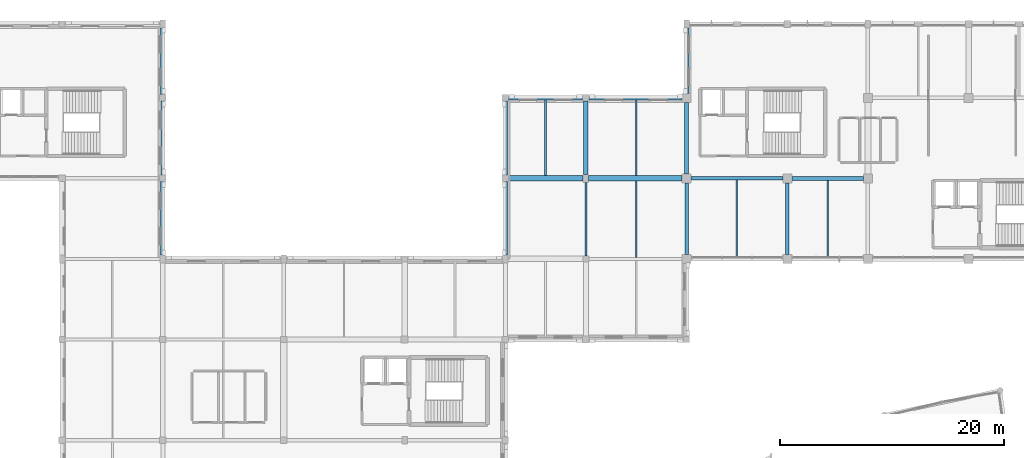
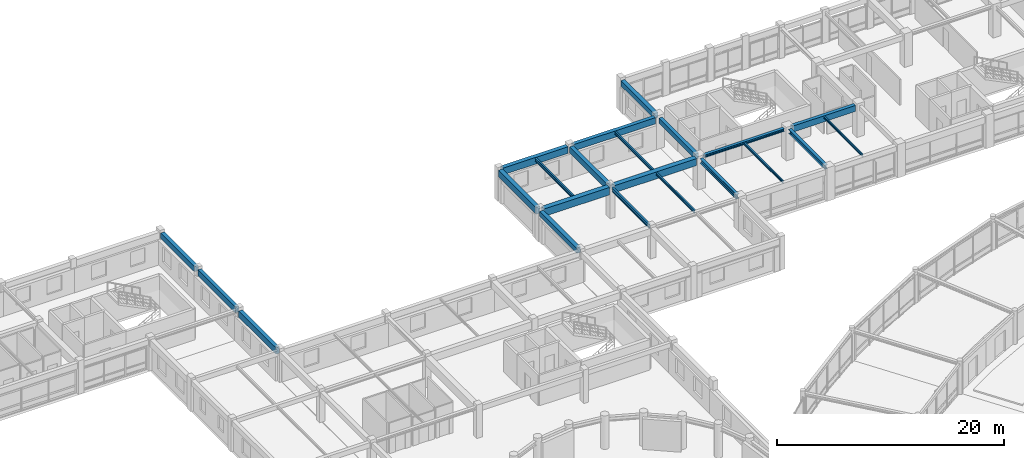
# One storey, part 32 of 74: 22 beams.
"""IFC4 building model written with IfcOpenShell, lengths in metres."""

from ifc_helpers import new_model, si_unit, direction, frame, origin, origin_2d, place, context, subcontext, project, spatial, rectangle, i_section, extrude, material, material_profile, profile_set, type_object, element, save


model = new_model("IFC4")

# Units and contexts
model_context = context("Model", 3, precision=1e-05, world=origin(), true_north=direction((0.0, 1.0)))
body_context = subcontext(model_context, "Body", "Model", "MODEL_VIEW")
ifc_project = project(units=[si_unit("LENGTHUNIT", "METRE"), si_unit("AREAUNIT", "SQUARE_METRE"), si_unit("VOLUMEUNIT", "CUBIC_METRE"), si_unit("PLANEANGLEUNIT", "RADIAN"), si_unit("MASSUNIT", "GRAM", prefix="KILO")], contexts=[model_context])

# Site, building, storey
site_placement = place(None, origin())
site = spatial("IfcSite", under=ifc_project, at=site_placement, CompositionType="ELEMENT")
building_placement = place(site_placement, origin())
building = spatial("IfcBuilding", under=site, at=building_placement, Name="Clarverna Civic Hall", CompositionType="ELEMENT")
storey_placement = place(building_placement, frame((0.0, 0.0, 9.60009765625)))
storey = spatial("IfcBuildingStorey", under=building, at=storey_placement, Name="L02", CompositionType="ELEMENT", Elevation=9.60009765625)

# Beams
ifc_material_1 = material(Name="Concrete C35/45", Category="concrete")
ifc_material_profile_1 = material_profile(ifc_material_1, rectangle(XDim=0.5, YDim=0.800048828125, at=origin_2d()), Name="RC 500x800")
ifc_profile_set_1 = profile_set([ifc_material_profile_1], Name="Concrete C35/45")
beam_type_1 = type_object("IfcBeamType", Name="B-RC14", PredefinedType="BEAM", material=ifc_profile_set_1)
beam_1_placement = place(storey_placement, frame((97.5, 102.199951171875, 2.919921875), z_axis=(1.0, 0.0, 0.0), x_axis=(0.0, 1.0, 0.0)))
element("IfcBeam", 1, at=beam_1_placement, inside=storey, type_object=beam_type_1, Name="B-RC14-027", PredefinedType="BEAM", context=body_context, shape_type="SweptSolid", body=[
    extrude(rectangle(XDim=0.5, YDim=0.800048828125, at=origin_2d()), origin(), (0.0, 0.0, 1.0), 6.64990234375),
])
ifc_material_profile_2 = material_profile(ifc_material_1, rectangle(XDim=0.5, YDim=0.75, at=origin_2d()), Name="RC 500x750")
ifc_profile_set_2 = profile_set([ifc_material_profile_2], Name="Concrete C35/45")
beam_type_2 = type_object("IfcBeamType", Name="B-RC15", PredefinedType="BEAM", material=ifc_profile_set_2)
beam_2_placement = place(storey_placement, frame((104.64990234375, 102.199951171875, 2.94482421875), z_axis=(1.0, 0.0, 0.0), x_axis=(0.0, 1.0, 0.0)))
element("IfcBeam", 2, at=beam_2_placement, inside=storey, type_object=beam_type_2, Name="B-RC15-037", PredefinedType="BEAM", context=body_context, shape_type="SweptSolid", body=[
    extrude(rectangle(XDim=0.5, YDim=0.75, at=origin_2d()), origin(), (0.0, 0.0, 1.0), 8.35009765625),
])
ifc_material_profile_3 = material_profile(ifc_material_1, rectangle(XDim=0.35009765625, YDim=0.64990234375, at=origin_2d()), Name="RC 350x650")
ifc_profile_set_3 = profile_set([ifc_material_profile_3], Name="Concrete C35/45")
beam_type_3 = type_object("IfcBeamType", Name="B-RC17", PredefinedType="BEAM", material=ifc_profile_set_3)
beam_3_placement = place(storey_placement, frame((122.800048828125, 102.199951171875, 2.994873046875), z_axis=(1.0, 0.0, 0.0), x_axis=(0.0, 1.0, 0.0)))
element("IfcBeam", 3, at=beam_3_placement, inside=storey, type_object=beam_type_3, Name="B-RC17-030", PredefinedType="BEAM", context=body_context, shape_type="SweptSolid", body=[
    extrude(rectangle(XDim=0.35009765625, YDim=0.64990234375, at=origin_2d()), origin(), (0.0, 0.0, 1.0), 6.39990234375),
])
ifc_material_profile_4 = material_profile(ifc_material_1, rectangle(XDim=0.39990234375, YDim=0.64990234375, at=origin_2d()), Name="RC 400x650")
ifc_profile_set_4 = profile_set([ifc_material_profile_4], Name="Concrete C35/45")
beam_type_4 = type_object("IfcBeamType", Name="B-RC6", PredefinedType="BEAM", material=ifc_profile_set_4)
beam_4_placement = place(storey_placement, frame((104.39990234375, 102.550048828125, 2.994873046875), z_axis=(0.0, 1.0, 0.0), x_axis=(-1.0, 0.0, 0.0)))
element("IfcBeam", 4, at=beam_4_placement, inside=storey, type_object=beam_type_4, Name="B-RC6-042", PredefinedType="BEAM", context=body_context, shape_type="SweptSolid", body=[
    extrude(rectangle(XDim=0.39990234375, YDim=0.64990234375, at=origin_2d()), origin(), (0.0, 0.0, 1.0), 6.550048828125),
])
ifc_material_profile_5 = material_profile(ifc_material_1, rectangle(XDim=0.35009765625, YDim=0.550048828125, at=origin_2d()), Name="RC 350x550")
ifc_profile_set_5 = profile_set([ifc_material_profile_5], Name="Concrete C35/45")
beam_type_5 = type_object("IfcBeamType", Name="B-RC9", PredefinedType="BEAM", material=ifc_profile_set_5)
beam_5_placement = place(storey_placement, frame((113.39990234375, 102.60009765625, 3.044921875), z_axis=(0.0, 1.0, 0.0), x_axis=(-1.0, 0.0, 0.0)))
element("IfcBeam", 5, at=beam_5_placement, inside=storey, type_object=beam_type_5, Name="B-RC9-039", PredefinedType="BEAM", context=body_context, shape_type="SweptSolid", body=[
    extrude(rectangle(XDim=0.35009765625, YDim=0.550048828125, at=origin_2d()), origin(), (0.0, 0.0, 1.0), 6.39990234375),
])
ifc_material_profile_6 = material_profile(ifc_material_1, rectangle(XDim=0.419921875, YDim=0.719970703125, at=origin_2d()), Name="RC 420x720")
ifc_profile_set_6 = profile_set([ifc_material_profile_6], Name="Concrete C35/45")
beam_type_6 = type_object("IfcBeamType", Name="B-SP1", PredefinedType="SPANDREL", material=ifc_profile_set_6)
for number, where, z_axis, x_axis, name in (
    (6, (97.47509765625, 109.39990234375, 2.9599609375), (1.0, 0.0, 0.0), (0.0, 1.0, 0.0), "B-SP1-089"),
    (7, (97.199951171875, 102.5, 2.9599609375), (0.0, 1.0, 0.0), (-1.0, 0.0, 0.0), "B-SP1-103"),
):
    element("IfcBeam", number, at=place(storey_placement, frame(where, z_axis=z_axis, x_axis=x_axis)), inside=storey, type_object=beam_type_6, Name=name, PredefinedType="SPANDREL", context=body_context, shape_type="SweptSolid", body=[
        extrude(rectangle(XDim=0.419921875, YDim=0.719970703125, at=origin_2d()), origin(), (0.0, 0.0, 1.0), 6.625),
    ])
ifc_material_profile_7 = material_profile(ifc_material_1, rectangle(XDim=0.3798828125, YDim=0.679931640625, at=origin_2d()), Name="RC 380x680")
ifc_profile_set_7 = profile_set([ifc_material_profile_7], Name="Concrete C35/45")
beam_type_7 = type_object("IfcBeamType", Name="B-SP2", PredefinedType="SPANDREL", material=ifc_profile_set_7)
beam_6_placement = place(storey_placement, frame((104.699951171875, 109.39990234375, 2.97998046875), z_axis=(1.0, 0.0, 0.0), x_axis=(0.0, 1.0, 0.0)))
element("IfcBeam", 8, at=beam_6_placement, inside=storey, type_object=beam_type_7, Name="B-SP2-092", PredefinedType="SPANDREL", context=body_context, shape_type="SweptSolid", body=[
    extrude(rectangle(XDim=0.3798828125, YDim=0.679931640625, at=origin_2d()), origin(), (0.0, 0.0, 1.0), 8.300048828125),
])
beam_7_placement = place(storey_placement, frame((66.60009765625, 95.35009765625, 2.93994140625), z_axis=(0.0, 1.0, 0.0), x_axis=(-1.0, 0.0, 0.0)))
element("IfcBeam", 9, at=beam_7_placement, inside=storey, type_object=beam_type_7, Name="B-SP2-105", PredefinedType="SPANDREL", context=body_context, shape_type="SweptSolid", body=[
    extrude(rectangle(XDim=0.3798828125, YDim=0.679931640625, at=origin_2d()), origin(), (0.0, 0.0, 1.0), 6.5498046875),
])
ifc_material_profile_8 = material_profile(ifc_material_1, rectangle(XDim=0.360107421875, YDim=0.6201171875, at=origin_2d()), Name="RC 360x620")
ifc_profile_set_8 = profile_set([ifc_material_profile_8], Name="Concrete C35/45")
beam_type_8 = type_object("IfcBeamType", Name="B-SP3", PredefinedType="SPANDREL", material=ifc_profile_set_8)
beam_8_placement = place(storey_placement, frame((66.60009765625, 102.5, 3.010009765625), z_axis=(0.0, 1.0, 0.0), x_axis=(-1.0, 0.0, 0.0)))
element("IfcBeam", 10, at=beam_8_placement, inside=storey, type_object=beam_type_8, Name="B-SP3-103", PredefinedType="SPANDREL", context=body_context, shape_type="SweptSolid", body=[
    extrude(rectangle(XDim=0.360107421875, YDim=0.6201171875, at=origin_2d()), origin(), (0.0, 0.0, 1.0), 6.625),
])
ifc_material_profile_9 = material_profile(ifc_material_1, rectangle(XDim=0.39990234375, YDim=0.56005859375, at=origin_2d()), Name="RC 400x560")
ifc_profile_set_9 = profile_set([ifc_material_profile_9], Name="Concrete C35/45")
beam_type_9 = type_object("IfcBeamType", Name="B-SP4", PredefinedType="SPANDREL", material=ifc_profile_set_9)
beam_9_placement = place(storey_placement, frame((66.60009765625, 109.675048828125, 3.039794921875), z_axis=(0.0, 1.0, 0.0), x_axis=(-1.0, 0.0, 0.0)))
element("IfcBeam", 11, at=beam_9_placement, inside=storey, type_object=beam_type_9, Name="B-SP4-102", PredefinedType="SPANDREL", context=body_context, shape_type="SweptSolid", body=[
    extrude(rectangle(XDim=0.39990234375, YDim=0.56005859375, at=origin_2d()), origin(), (0.0, 0.0, 1.0), 5.974853515625),
])
beam_10_placement = place(storey_placement, frame((97.199951171875, 95.35009765625, 3.0), z_axis=(0.0, 1.0, 0.0), x_axis=(-1.0, 0.0, 0.0)))
element("IfcBeam", 12, at=beam_10_placement, inside=storey, type_object=beam_type_9, Name="B-SP4-104", PredefinedType="SPANDREL", context=body_context, shape_type="SweptSolid", body=[
    extrude(rectangle(XDim=0.39990234375, YDim=0.56005859375, at=origin_2d()), origin(), (0.0, 0.0, 1.0), 6.5498046875),
])
beam_11_placement = place(storey_placement, frame((113.39990234375, 109.800048828125, 3.039794921875), z_axis=(0.0, 1.0, 0.0), x_axis=(-1.0, 0.0, 0.0)))
element("IfcBeam", 13, at=beam_11_placement, inside=storey, type_object=beam_type_9, Name="B-SP4-105", PredefinedType="SPANDREL", context=body_context, shape_type="SweptSolid", body=[
    extrude(rectangle(XDim=0.39990234375, YDim=0.56005859375, at=origin_2d()), origin(), (0.0, 0.0, 1.0), 5.849853515625),
])
ifc_material_2 = material(Name="Steel S355", Category="steel")
ifc_material_profile_10 = material_profile(ifc_material_2, i_section(OverallWidth=0.300048828125, OverallDepth=0.2900390625, WebThickness=0.008544921875, FlangeThickness=0.013916015625, FilletRadius=0.027099609375, at=origin_2d()), Name="HEA 300")
ifc_profile_set_10 = profile_set([ifc_material_profile_10], Name="Steel S355")
beam_type_10 = type_object("IfcBeamType", Name="B-ST10", PredefinedType="BEAM", material=ifc_profile_set_10)
beam_12_placement = place(storey_placement, frame((113.800048828125, 102.199951171875, 3.1748046875), z_axis=(1.0, 0.0, 0.0), x_axis=(0.0, 1.0, 0.0)))
element("IfcBeam", 14, at=beam_12_placement, inside=storey, type_object=beam_type_10, Name="B-ST10-009", PredefinedType="BEAM", context=body_context, shape_type="SweptSolid", body=[
    extrude(i_section(OverallWidth=0.300048828125, OverallDepth=0.2900390625, WebThickness=0.008544921875, FlangeThickness=0.013916015625, FilletRadius=0.027099609375, at=origin_2d()), origin(), (0.0, 0.0, 1.0), 8.199951171875),
])
ifc_material_profile_11 = material_profile(ifc_material_2, i_section(OverallWidth=0.18994140625, OverallDepth=0.449951171875, WebThickness=0.009521484375, FlangeThickness=0.0146484375, FilletRadius=0.02099609375, at=origin_2d()), Name="IPE 450")
ifc_profile_set_11 = profile_set([ifc_material_profile_11], Name="Steel S355")
beam_type_11 = type_object("IfcBeamType", Name="B-ST13", PredefinedType="BEAM", material=ifc_profile_set_11)
beam_13_placement = place(storey_placement, frame((104.39990234375, 95.27490234375, 3.094970703125), z_axis=(0.0, 1.0, 0.0), x_axis=(-1.0, 0.0, 0.0)))
element("IfcBeam", 15, at=beam_13_placement, inside=storey, type_object=beam_type_11, Name="B-ST13-011", PredefinedType="BEAM", context=body_context, shape_type="SweptSolid", body=[
    extrude(i_section(OverallWidth=0.18994140625, OverallDepth=0.449951171875, WebThickness=0.009521484375, FlangeThickness=0.0146484375, FilletRadius=0.02099609375, at=origin_2d()), origin(), (0.0, 0.0, 1.0), 6.5751953125),
])
ifc_material_profile_12 = material_profile(ifc_material_2, i_section(OverallWidth=0.300048828125, OverallDepth=0.5, WebThickness=0.014404296875, FlangeThickness=0.028076171875, FilletRadius=0.027099609375, at=origin_2d()), Name="HEB 500")
ifc_profile_set_12 = profile_set([ifc_material_profile_12], Name="Steel S355")
beam_type_12 = type_object("IfcBeamType", Name="B-ST2", PredefinedType="BEAM", material=ifc_profile_set_12)
beam_14_placement = place(storey_placement, frame((113.39990234375, 95.39990234375, 3.06982421875), z_axis=(0.0, 1.0, 0.0), x_axis=(-1.0, 0.0, 0.0)))
element("IfcBeam", 16, at=beam_14_placement, inside=storey, type_object=beam_type_12, Name="B-ST2-008", PredefinedType="BEAM", context=body_context, shape_type="SweptSolid", body=[
    extrude(i_section(OverallWidth=0.300048828125, OverallDepth=0.5, WebThickness=0.014404296875, FlangeThickness=0.028076171875, FilletRadius=0.027099609375, at=origin_2d()), origin(), (0.0, 0.0, 1.0), 6.400146484375),
])
ifc_material_profile_13 = material_profile(ifc_material_2, i_section(OverallWidth=0.300048828125, OverallDepth=0.43994140625, WebThickness=0.011474609375, FlangeThickness=0.02099609375, FilletRadius=0.027099609375, at=origin_2d()), Name="HEA 450")
ifc_profile_set_13 = profile_set([ifc_material_profile_13], Name="Steel S355")
beam_type_13 = type_object("IfcBeamType", Name="B-ST5", PredefinedType="BEAM", material=ifc_profile_set_13)
beam_15_placement = place(storey_placement, frame((122.39990234375, 95.39990234375, 3.099853515625), z_axis=(0.0, 1.0, 0.0), x_axis=(-1.0, 0.0, 0.0)))
element("IfcBeam", 17, at=beam_15_placement, inside=storey, type_object=beam_type_13, Name="B-ST5-083", PredefinedType="BEAM", context=body_context, shape_type="SweptSolid", body=[
    extrude(i_section(OverallWidth=0.300048828125, OverallDepth=0.43994140625, WebThickness=0.011474609375, FlangeThickness=0.02099609375, FilletRadius=0.027099609375, at=origin_2d()), origin(), (0.0, 0.0, 1.0), 6.400146484375),
])
ifc_material_profile_14 = material_profile(ifc_material_2, i_section(OverallWidth=0.169921875, OverallDepth=0.360107421875, WebThickness=0.008056640625, FlangeThickness=0.0126953125, FilletRadius=0.01806640625, at=origin_2d()), Name="IPE 360")
ifc_profile_set_14 = profile_set([ifc_material_profile_14], Name="Steel S355")
beam_type_14 = type_object("IfcBeamType", Name="J-ST1", PredefinedType="JOIST", material=ifc_profile_set_14)
beam_16_placement = place(storey_placement, frame((100.800048828125, 102.449951171875, 3.139892578125), z_axis=(0.0, 1.0, 0.0), x_axis=(-1.0, 0.0, 0.0)))
element("IfcBeam", 18, at=beam_16_placement, inside=storey, type_object=beam_type_14, Name="J-ST1-058", PredefinedType="JOIST", context=body_context, shape_type="SweptSolid", body=[
    extrude(i_section(OverallWidth=0.169921875, OverallDepth=0.360107421875, WebThickness=0.008056640625, FlangeThickness=0.0126953125, FilletRadius=0.01806640625, at=origin_2d()), origin(), (0.0, 0.0, 1.0), 6.739990234375),
])
ifc_material_profile_15 = material_profile(ifc_material_2, i_section(OverallWidth=0.159912109375, OverallDepth=0.330078125, WebThickness=0.007568359375, FlangeThickness=0.011474609375, FilletRadius=0.01806640625, at=origin_2d()), Name="IPE 330")
ifc_profile_set_15 = profile_set([ifc_material_profile_15], Name="Steel S355")
beam_type_15 = type_object("IfcBeamType", Name="J-ST2", PredefinedType="JOIST", material=ifc_profile_set_15)
beam_17_placement = place(storey_placement, frame((108.89990234375, 102.449951171875, 3.15478515625), z_axis=(0.0, 1.0, 0.0), x_axis=(-1.0, 0.0, 0.0)))
element("IfcBeam", 19, at=beam_17_placement, inside=storey, type_object=beam_type_15, Name="J-ST2-058", PredefinedType="JOIST", context=body_context, shape_type="SweptSolid", body=[
    extrude(i_section(OverallWidth=0.159912109375, OverallDepth=0.330078125, WebThickness=0.007568359375, FlangeThickness=0.011474609375, FilletRadius=0.01806640625, at=origin_2d()), origin(), (0.0, 0.0, 1.0), 6.760009765625),
])
ifc_material_profile_16 = material_profile(ifc_material_2, i_section(OverallWidth=0.14990234375, OverallDepth=0.300048828125, WebThickness=0.007080078125, FlangeThickness=0.0107421875, FilletRadius=0.014892578125, at=origin_2d()), Name="IPE 300")
ifc_profile_set_16 = profile_set([ifc_material_profile_16], Name="Steel S355")
beam_type_16 = type_object("IfcBeamType", Name="J-ST3", PredefinedType="JOIST", material=ifc_profile_set_16)
beam_18_placement = place(storey_placement, frame((108.89990234375, 95.14990234375, 3.169921875), z_axis=(0.0, 1.0, 0.0), x_axis=(-1.0, 0.0, 0.0)))
element("IfcBeam", 20, at=beam_18_placement, inside=storey, type_object=beam_type_16, Name="J-ST3-056", PredefinedType="JOIST", context=body_context, shape_type="SweptSolid", body=[
    extrude(i_section(OverallWidth=0.14990234375, OverallDepth=0.300048828125, WebThickness=0.007080078125, FlangeThickness=0.0107421875, FilletRadius=0.014892578125, at=origin_2d()), origin(), (0.0, 0.0, 1.0), 6.800048828125),
])
ifc_material_profile_17 = material_profile(ifc_material_2, i_section(OverallWidth=0.135009765625, OverallDepth=0.27001953125, WebThickness=0.006591796875, FlangeThickness=0.01025390625, FilletRadius=0.014892578125, at=origin_2d()), Name="IPE 270")
ifc_profile_set_17 = profile_set([ifc_material_profile_17], Name="Steel S355")
beam_type_17 = type_object("IfcBeamType", Name="J-ST4", PredefinedType="JOIST", material=ifc_profile_set_17)
beam_19_placement = place(storey_placement, frame((117.89990234375, 95.179931640625, 3.184814453125), z_axis=(0.0, 1.0, 0.0), x_axis=(-1.0, 0.0, 0.0)))
element("IfcBeam", 21, at=beam_19_placement, inside=storey, type_object=beam_type_17, Name="J-ST4-058", PredefinedType="JOIST", context=body_context, shape_type="SweptSolid", body=[
    extrude(i_section(OverallWidth=0.135009765625, OverallDepth=0.27001953125, WebThickness=0.006591796875, FlangeThickness=0.01025390625, FilletRadius=0.014892578125, at=origin_2d()), origin(), (0.0, 0.0, 1.0), 6.8701171875),
])
ifc_material_profile_18 = material_profile(ifc_material_2, i_section(OverallWidth=0.1201171875, OverallDepth=0.239990234375, WebThickness=0.006103515625, FlangeThickness=0.009765625, FilletRadius=0.014892578125, at=origin_2d()), Name="IPE 240")
ifc_profile_set_18 = profile_set([ifc_material_profile_18], Name="Steel S355")
beam_type_18 = type_object("IfcBeamType", Name="J-ST5", PredefinedType="JOIST", material=ifc_profile_set_18)
beam_20_placement = place(storey_placement, frame((126.0, 95.199951171875, 3.199951171875), z_axis=(0.0, 1.0, 0.0), x_axis=(-1.0, 0.0, 0.0)))
element("IfcBeam", 22, at=beam_20_placement, inside=storey, type_object=beam_type_18, Name="J-ST5-056", PredefinedType="JOIST", context=body_context, shape_type="SweptSolid", body=[
    extrude(i_section(OverallWidth=0.1201171875, OverallDepth=0.239990234375, WebThickness=0.006103515625, FlangeThickness=0.009765625, FilletRadius=0.014892578125, at=origin_2d()), origin(), (0.0, 0.0, 1.0), 6.824951171875),
])

save(model, "model.ifc")
